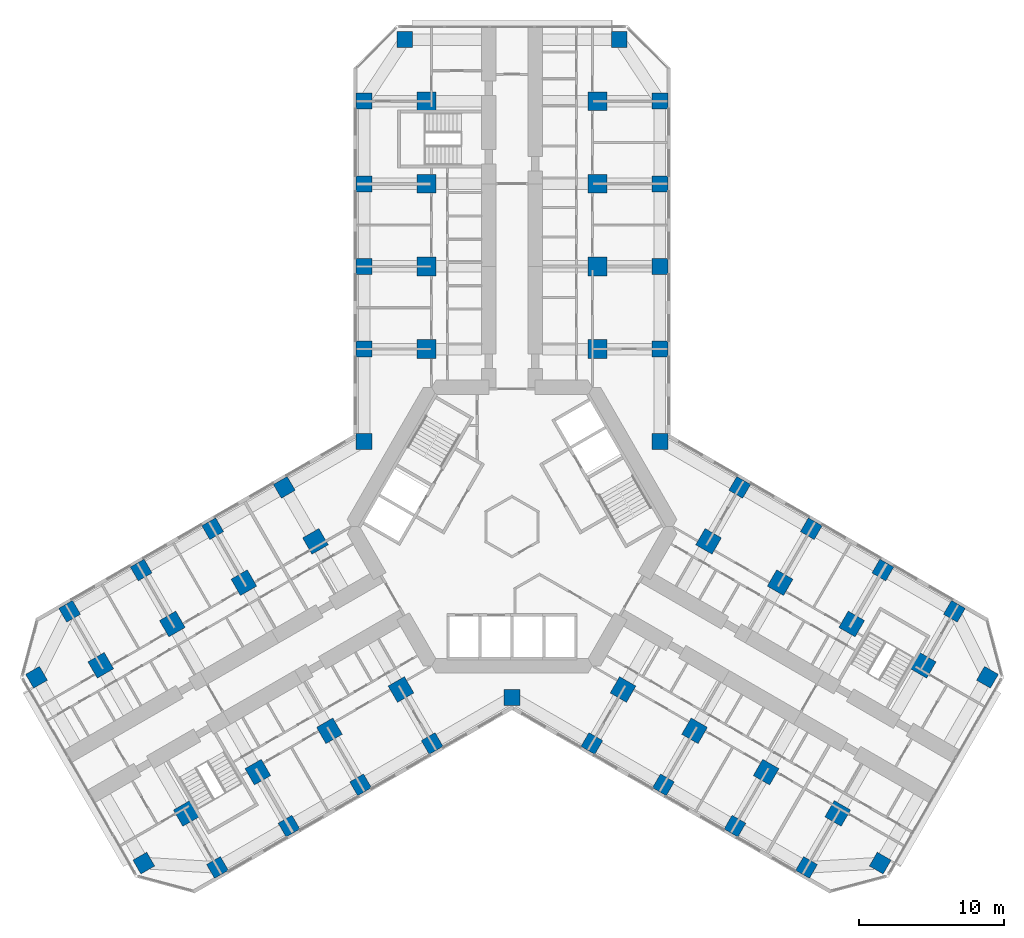
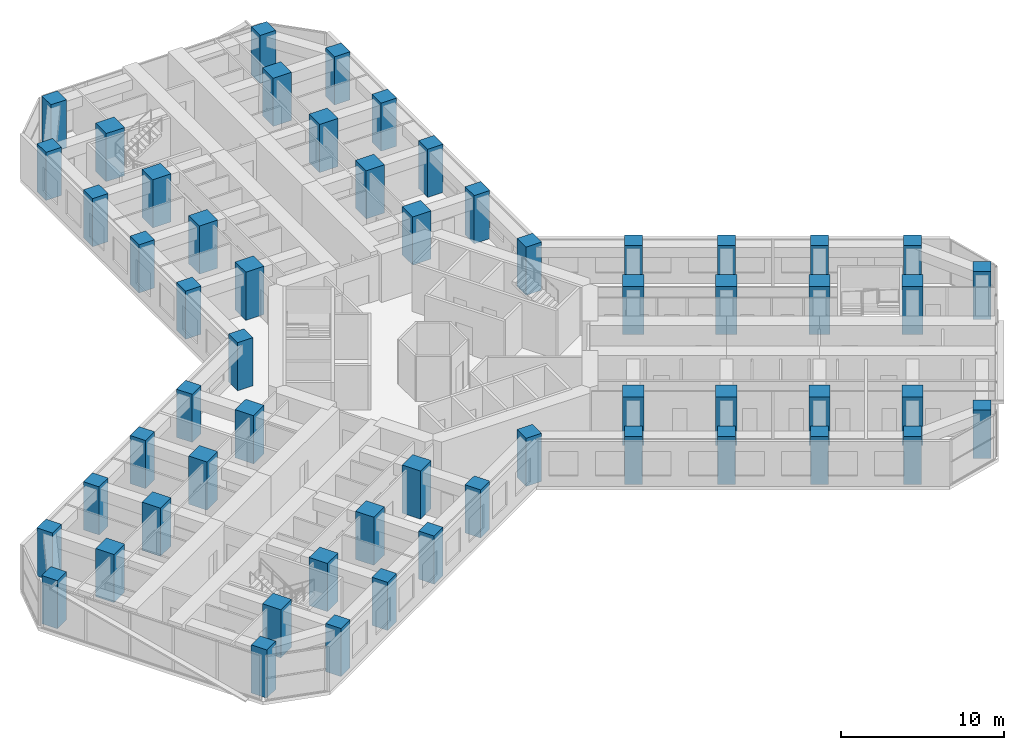
# One storey, part 1 of 21: 57 columns.
"""IFC4 building model written with IfcOpenShell, lengths in metres."""

from ifc_helpers import new_model, si_unit, direction, frame, origin, origin_2d, place, context, subcontext, project, spatial, rectangle, extrude, material, material_profile, profile_set, type_object, element, save


model = new_model("IFC4")

# Units and contexts
model_context = context("Model", 3, precision=1e-05, world=origin(), true_north=direction((0.0, 1.0)))
body_context = subcontext(model_context, "Body", "Model", "MODEL_VIEW")
ifc_project = project(units=[si_unit("LENGTHUNIT", "METRE"), si_unit("AREAUNIT", "SQUARE_METRE"), si_unit("VOLUMEUNIT", "CUBIC_METRE"), si_unit("PLANEANGLEUNIT", "RADIAN"), si_unit("MASSUNIT", "GRAM", prefix="KILO")], contexts=[model_context])

# Site, building, storey
site_placement = place(None, origin())
site = spatial("IfcSite", under=ifc_project, at=site_placement, CompositionType="ELEMENT")
building_placement = place(site_placement, origin())
building = spatial("IfcBuilding", under=site, at=building_placement, Name="Kosmar Iwan School Tower", CompositionType="ELEMENT")
storey_placement = place(building_placement, frame((0.0, 0.0, 43.0)))
storey = spatial("IfcBuildingStorey", under=building, at=storey_placement, Name="L09", CompositionType="ELEMENT", Elevation=43.0)

# Columns
ifc_material_1 = material(Name="Concrete C50/60", Category="concrete")
ifc_material_profile_1 = material_profile(ifc_material_1, rectangle(XDim=1.10009765625, YDim=1.10009765625, at=origin_2d()), Name="RC 1100x1100 + HD 400x677")
ifc_profile_set_1 = profile_set([ifc_material_profile_1], Name="Concrete C50/60")
column_type_1 = type_object("IfcColumnType", Name="Composite column 1100x1100 HD 400x677", PredefinedType="COLUMN", material=ifc_profile_set_1)
for number, where, z_axis, x_axis, name in (
    (1, (-10.199951171875, 12.25, 0.0), (0.0, 0.0, 1.0), (0.0, 1.0, 0.0), "Column AL1 L09"),
    (2, (-10.199951171875, 17.949951171875, 0.0), (0.0, 0.0, 1.0), (0.0, 1.0, 0.0), "Column AL2 L09"),
    (3, (-10.199951171875, 23.64990234375, 0.0), (0.0, 0.0, 1.0), (0.0, 1.0, 0.0), "Column AL3 L09"),
    (4, (-10.199951171875, 29.35009765625, 0.0), (0.0, 0.0, 1.0), (0.0, 1.0, 0.0), "Column AL4 L09"),
    (5, (-7.39990234375, 33.60009765625, 0.0), (0.0, 0.0, 1.0), (0.0, 1.0, 0.0), "Column ALTIP L09"),
    (6, (10.199951171875, 12.25, 0.0), (0.0, 0.0, 1.0), (0.0, 1.0, 0.0), "Column AR1 L09"),
    (7, (10.199951171875, 17.949951171875, 0.0), (0.0, 0.0, 1.0), (0.0, 1.0, 0.0), "Column AR2 L09"),
    (8, (10.199951171875, 23.64990234375, 0.0), (0.0, 0.0, 1.0), (0.0, 1.0, 0.0), "Column AR3 L09"),
    (9, (10.199951171875, 29.35009765625, 0.0), (0.0, 0.0, 1.0), (0.0, 1.0, 0.0), "Column AR4 L09"),
    (10, (7.39990234375, 33.60009765625, 0.0), (0.0, 0.0, 1.0), (0.0, 1.0, 0.0), "Column ARTIP L09"),
    (11, (-5.5087890625, -14.95849609375, 0.0), (0.0, 0.0, 1.0), (-0.866025403784, -0.5, 0.0), "Column BL1 L09"),
    (12, (-10.445068359375, -17.808349609375, 0.0), (0.0, 0.0, 1.0), (-0.866025403784, -0.5, 0.0), "Column BL2 L09"),
    (13, (-15.381591796875, -20.658447265625, 0.0), (0.0, 0.0, 1.0), (-0.866025403784, -0.5, 0.0), "Column BL3 L09"),
    (14, (-20.31787109375, -23.508544921875, 0.0), (0.0, 0.0, 1.0), (-0.866025403784, -0.5, 0.0), "Column BL4 L09"),
    (15, (-25.3984375, -23.20849609375, 0.0), (0.0, 0.0, 1.0), (-0.866025403784, -0.5, 0.0), "Column BLTIP L09"),
    (16, (-15.708740234375, 2.70849609375, 0.0), (0.0, 0.0, 1.0), (-0.866025403784, -0.5, 0.0), "Column BR1 L09"),
    (17, (-20.645263671875, -0.1416015625, 0.0), (0.0, 0.0, 1.0), (-0.866025403784, -0.5, 0.0), "Column BR2 L09"),
    (18, (-25.58154296875, -2.991455078125, 0.0), (0.0, 0.0, 1.0), (-0.866025403784, -0.5, 0.0), "Column BR3 L09"),
    (19, (-30.517822265625, -5.841552734375, 0.0), (0.0, 0.0, 1.0), (-0.866025403784, -0.5, 0.0), "Column BR4 L09"),
    (20, (-32.79833984375, -10.391357421875, 0.0), (0.0, 0.0, 1.0), (-0.866025403784, -0.5, 0.0), "Column BRTIP L09"),
    (21, (15.708740234375, 2.70849609375, 0.0), (0.0, 0.0, 1.0), (0.866025403784, -0.5, 0.0), "Column CL1 L09"),
    (22, (20.645263671875, -0.1416015625, 0.0), (0.0, 0.0, 1.0), (0.866025403784, -0.5, 0.0), "Column CL2 L09"),
    (23, (25.58154296875, -2.991455078125, 0.0), (0.0, 0.0, 1.0), (0.866025403784, -0.5, 0.0), "Column CL3 L09"),
    (24, (30.517822265625, -5.841552734375, 0.0), (0.0, 0.0, 1.0), (0.866025403784, -0.5, 0.0), "Column CL4 L09"),
    (25, (32.79833984375, -10.391357421875, 0.0), (0.0, 0.0, 1.0), (0.866025403784, -0.5, 0.0), "Column CLTIP L09"),
    (26, (5.5087890625, -14.95849609375, 0.0), (0.0, 0.0, 1.0), (0.866025403784, -0.5, 0.0), "Column CR1 L09"),
    (27, (10.445068359375, -17.808349609375, 0.0), (0.0, 0.0, 1.0), (0.866025403784, -0.5, 0.0), "Column CR2 L09"),
    (28, (15.381591796875, -20.658447265625, 0.0), (0.0, 0.0, 1.0), (0.866025403784, -0.5, 0.0), "Column CR3 L09"),
    (29, (20.31787109375, -23.508544921875, 0.0), (0.0, 0.0, 1.0), (0.866025403784, -0.5, 0.0), "Column CR4 L09"),
    (30, (25.3984375, -23.20849609375, 0.0), (0.0, 0.0, 1.0), (0.866025403784, -0.5, 0.0), "Column CRTIP L09"),
    (31, (-10.199951171875, 5.888916015625, 0.0), (0.0, 0.0, 1.0), (1.0, 0.0, 0.0), "Column RAB L09"),
    (32, (10.199951171875, 5.888916015625, 0.0), (0.0, 0.0, 1.0), (1.0, 0.0, 0.0), "Column RAC L09"),
    (33, (0.0, -11.77783203125, 0.0), (0.0, 0.0, 1.0), (1.0, 0.0, 0.0), "Column RBC L09"),
):
    element("IfcColumn", number, at=place(storey_placement, frame(where, z_axis=z_axis, x_axis=x_axis)), inside=storey, type_object=column_type_1, Name=name, PredefinedType="COLUMN", context=body_context, shape_type="SweptSolid", body=[
        extrude(rectangle(XDim=1.10009765625, YDim=1.10009765625, at=origin_2d()), origin(), (0.0, 0.0, 1.0), 3.60009765625),
    ])
ifc_material_2 = material(Name="Concrete C50/60", Category="concrete")
ifc_material_profile_2 = material_profile(ifc_material_2, rectangle(XDim=1.300048828125, YDim=1.300048828125, at=origin_2d()), Name="RC 1300x1300")
ifc_profile_set_2 = profile_set([ifc_material_profile_2], Name="Concrete C50/60")
column_type_2 = type_object("IfcColumnType", Name="RC interior column 1300x1300", PredefinedType="COLUMN", material=ifc_profile_set_2)
for number, where, z_axis, x_axis, name in (
    (34, (-5.89990234375, 12.25, 0.0), (0.0, 0.0, 1.0), (0.0, 1.0, 0.0), "Interior column ALI1 L09"),
    (35, (-5.89990234375, 17.949951171875, 0.0), (0.0, 0.0, 1.0), (0.0, 1.0, 0.0), "Interior column ALI2 L09"),
    (36, (-5.89990234375, 23.64990234375, 0.0), (0.0, 0.0, 1.0), (0.0, 1.0, 0.0), "Interior column ALI3 L09"),
    (37, (-5.89990234375, 29.35009765625, 0.0), (0.0, 0.0, 1.0), (0.0, 1.0, 0.0), "Interior column ALI4 L09"),
    (38, (5.89990234375, 12.25, 0.0), (0.0, 0.0, 1.0), (0.0, 1.0, 0.0), "Interior column ARI1 L09"),
    (39, (5.89990234375, 17.949951171875, 0.0), (0.0, 0.0, 1.0), (0.0, 1.0, 0.0), "Interior column ARI2 L09"),
    (40, (5.89990234375, 23.64990234375, 0.0), (0.0, 0.0, 1.0), (0.0, 1.0, 0.0), "Interior column ARI3 L09"),
    (41, (5.89990234375, 29.35009765625, 0.0), (0.0, 0.0, 1.0), (0.0, 1.0, 0.0), "Interior column ARI4 L09"),
    (42, (-7.65869140625, -11.234619140625, 0.0), (0.0, 0.0, 1.0), (-0.866025403784, -0.5, 0.0), "Interior column BLI1 L09"),
    (43, (-12.59521484375, -14.08447265625, 0.0), (0.0, 0.0, 1.0), (-0.866025403784, -0.5, 0.0), "Interior column BLI2 L09"),
    (44, (-17.531494140625, -16.9345703125, 0.0), (0.0, 0.0, 1.0), (-0.866025403784, -0.5, 0.0), "Interior column BLI3 L09"),
    (45, (-22.4677734375, -19.78466796875, 0.0), (0.0, 0.0, 1.0), (-0.866025403784, -0.5, 0.0), "Interior column BLI4 L09"),
    (46, (-13.558837890625, -1.015380859375, 0.0), (0.0, 0.0, 1.0), (-0.866025403784, -0.5, 0.0), "Interior column BRI1 L09"),
    (47, (-18.4951171875, -3.865478515625, 0.0), (0.0, 0.0, 1.0), (-0.866025403784, -0.5, 0.0), "Interior column BRI2 L09"),
    (48, (-23.431396484375, -6.71533203125, 0.0), (0.0, 0.0, 1.0), (-0.866025403784, -0.5, 0.0), "Interior column BRI3 L09"),
    (49, (-28.367919921875, -9.5654296875, 0.0), (0.0, 0.0, 1.0), (-0.866025403784, -0.5, 0.0), "Interior column BRI4 L09"),
    (50, (13.558837890625, -1.015380859375, 0.0), (0.0, 0.0, 1.0), (0.866025403784, -0.5, 0.0), "Interior column CLI1 L09"),
    (51, (18.4951171875, -3.865478515625, 0.0), (0.0, 0.0, 1.0), (0.866025403784, -0.5, 0.0), "Interior column CLI2 L09"),
    (52, (23.431396484375, -6.71533203125, 0.0), (0.0, 0.0, 1.0), (0.866025403784, -0.5, 0.0), "Interior column CLI3 L09"),
    (53, (28.367919921875, -9.5654296875, 0.0), (0.0, 0.0, 1.0), (0.866025403784, -0.5, 0.0), "Interior column CLI4 L09"),
    (54, (7.65869140625, -11.234619140625, 0.0), (0.0, 0.0, 1.0), (0.866025403784, -0.5, 0.0), "Interior column CRI1 L09"),
    (55, (12.59521484375, -14.08447265625, 0.0), (0.0, 0.0, 1.0), (0.866025403784, -0.5, 0.0), "Interior column CRI2 L09"),
    (56, (17.531494140625, -16.9345703125, 0.0), (0.0, 0.0, 1.0), (0.866025403784, -0.5, 0.0), "Interior column CRI3 L09"),
    (57, (22.4677734375, -19.78466796875, 0.0), (0.0, 0.0, 1.0), (0.866025403784, -0.5, 0.0), "Interior column CRI4 L09"),
):
    element("IfcColumn", number, at=place(storey_placement, frame(where, z_axis=z_axis, x_axis=x_axis)), inside=storey, type_object=column_type_2, Name=name, PredefinedType="COLUMN", context=body_context, shape_type="SweptSolid", body=[
        extrude(rectangle(XDim=1.300048828125, YDim=1.300048828125, at=origin_2d()), origin(), (0.0, 0.0, 1.0), 3.60009765625),
    ])

save(model, "model.ifc")
